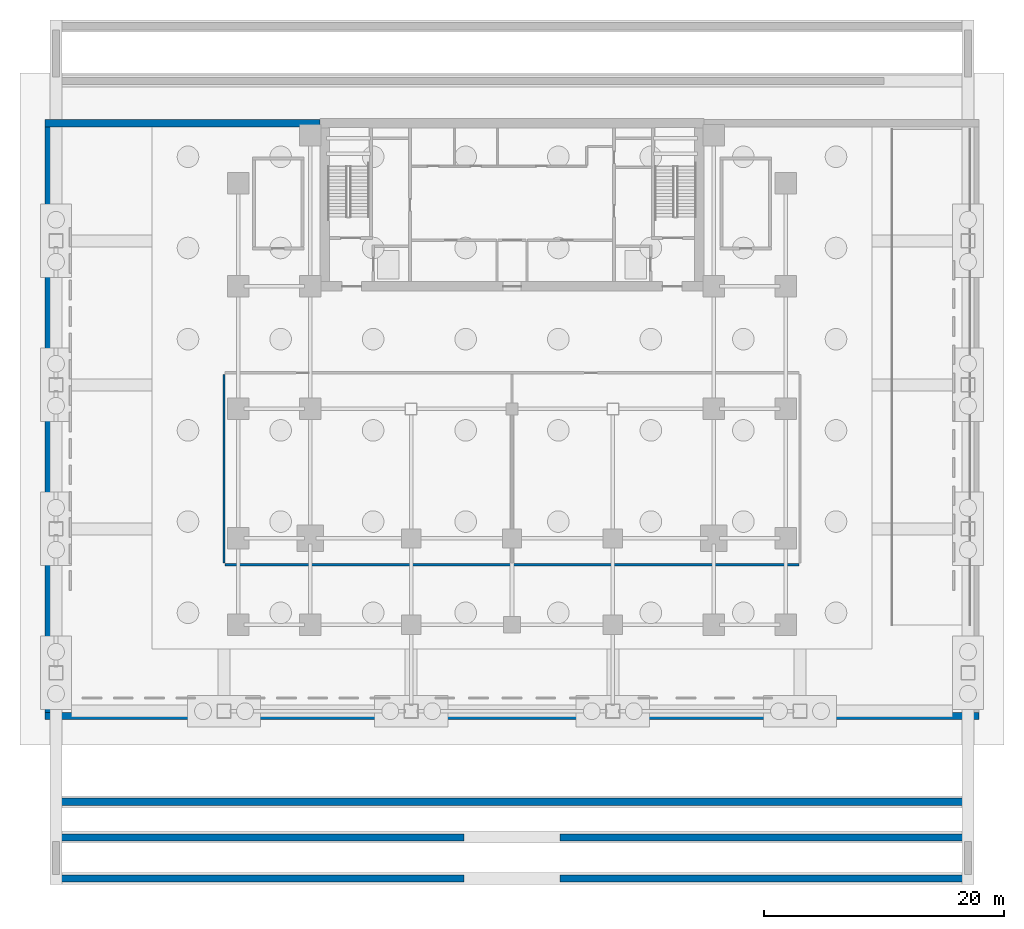
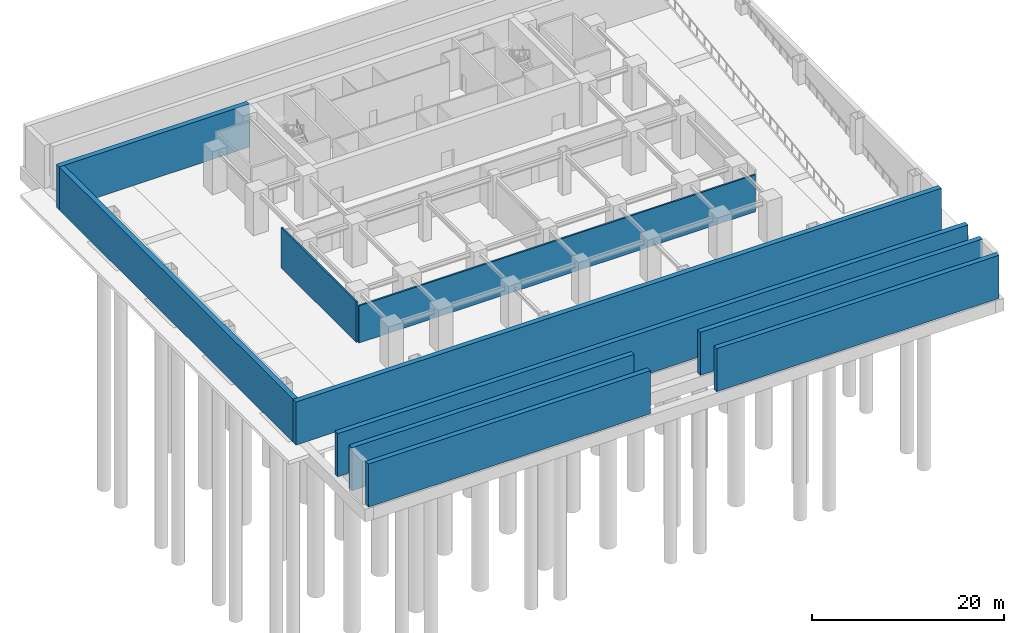
# One storey, part 3 of 9: 10 walls.
"""IFC4 building model written with IfcOpenShell, lengths in metres."""

from ifc_helpers import new_model, si_unit, direction, frame, frame_2d, origin, place, context, subcontext, project, spatial, rectangle, extrude, source, transform, mapped, material, layer, layer_set, type_object, element, save


model = new_model("IFC4")

# Units and contexts
model_context = context("Model", 3, precision=1e-05, world=origin(), true_north=direction((0.0, 1.0)))
body_context = subcontext(model_context, "Body", "Model", "MODEL_VIEW")
ifc_project = project(units=[si_unit("LENGTHUNIT", "METRE"), si_unit("AREAUNIT", "SQUARE_METRE"), si_unit("VOLUMEUNIT", "CUBIC_METRE"), si_unit("PLANEANGLEUNIT", "RADIAN"), si_unit("MASSUNIT", "GRAM", prefix="KILO")], contexts=[model_context])

# Site, building, storey
site_placement = place(None, origin())
site = spatial("IfcSite", under=ifc_project, at=site_placement, CompositionType="ELEMENT")
building_placement = place(site_placement, origin())
building = spatial("IfcBuilding", under=site, at=building_placement, Name="Sumidabori Civic Tower", CompositionType="ELEMENT")
storey_placement = place(building_placement, frame((0.0, 0.0, -11.0)))
storey = spatial("IfcBuildingStorey", under=building, at=storey_placement, Name="B2", CompositionType="ELEMENT", Elevation=-11.0)

# Walls
ifc_material_1 = material(Name="Concrete C50/60", Category="concrete")
ifc_layer_1 = layer(ifc_material_1, 0.60009765625, Name="Concrete C50/60")
ifc_layer_set_1 = layer_set([ifc_layer_1], Name="Concrete C50/60")
wall_type_1 = type_object("IfcWallType", Name="WL-RET-600", PredefinedType="SHEAR", material=ifc_layer_set_1)
shared_shape_1 = source(origin(), body_context, "Body", "SweptSolid", [
    extrude(rectangle(XDim=77.7998046875, YDim=0.60009765625, at=frame_2d((38.89990234375, 0.0))), origin(), (0.0, 0.0, 1.0), 5.5),
])
wall_1_placement = place(storey_placement, frame((-38.89990234375, -25.60009765625, 0.0), z_axis=(0.0, 0.0, 1.0), x_axis=(1.0, 0.0, 0.0)))
element("IfcWall", 1, at=wall_1_placement, inside=storey, type_object=wall_type_1, Name="Basement Retaining Wall B2 S", PredefinedType="SHEAR", context=body_context, shape_type="MappedRepresentation", body=[
    mapped(shared_shape_1, transform((0.0, 0.0, 0.0), x_axis=(1.0, 0.0, 0.0), y_axis=(0.0, 1.0, 0.0), z_axis=(0.0, 0.0, 1.0), scale=1.0)),
])
shared_shape_2 = source(origin(), body_context, "Body", "SweptSolid", [
    extrude(rectangle(XDim=22.89990234375, YDim=0.60009765625, at=frame_2d((11.449951171875, 0.0))), origin(), (0.0, 0.0, 1.0), 5.5),
])
wall_2_placement = place(storey_placement, frame((-38.89990234375, 23.800048828125, 0.0), z_axis=(0.0, 0.0, 1.0), x_axis=(1.0, 0.0, 0.0)))
element("IfcWall", 2, at=wall_2_placement, inside=storey, type_object=wall_type_1, Name="Basement Retaining Wall B2 NW", PredefinedType="SHEAR", context=body_context, shape_type="MappedRepresentation", body=[
    mapped(shared_shape_2, transform((0.0, 0.0, 0.0), x_axis=(1.0, 0.0, 0.0), y_axis=(0.0, 1.0, 0.0), z_axis=(0.0, 0.0, 1.0), scale=1.0)),
])
shared_shape_3 = source(origin(), body_context, "Body", "SweptSolid", [
    extrude(rectangle(XDim=48.800048828125, YDim=0.60009765625, at=frame_2d((24.39990234375, 0.0))), origin(), (0.0, 0.0, 1.0), 5.5),
])
wall_3_placement = place(storey_placement, frame((-38.60009765625, -25.300048828125, 0.0), z_axis=(0.0, 0.0, 1.0), x_axis=(0.0, 1.0, 0.0)))
element("IfcWall", 3, at=wall_3_placement, inside=storey, type_object=wall_type_1, Name="Basement Retaining Wall B2 W", PredefinedType="SHEAR", context=body_context, shape_type="MappedRepresentation", body=[
    mapped(shared_shape_3, transform((0.0, 0.0, 0.0), x_axis=(1.0, 0.0, 0.0), y_axis=(0.0, 1.0, 0.0), z_axis=(0.0, 0.0, 1.0), scale=1.0)),
])
shared_shape_4 = source(origin(), body_context, "Body", "SweptSolid", [
    extrude(rectangle(XDim=34.0, YDim=0.60009765625, at=frame_2d((17.0, 0.0))), origin(), (0.0, 0.0, 1.0), 5.5),
])
for number, where, z_axis, x_axis, name in (
    (4, (-38.0, -39.14990234375, 0.0), (0.0, 0.0, 1.0), (1.0, 0.0, 0.0), "Substructure Perimeter Bearing Wall B2 PLZ-SW"),
    (5, (4.0, -39.14990234375, 0.0), (0.0, 0.0, 1.0), (1.0, 0.0, 0.0), "Substructure Perimeter Bearing Wall B2 PLZ-SE"),
):
    element("IfcWall", number, at=place(storey_placement, frame(where, z_axis=z_axis, x_axis=x_axis)), inside=storey, type_object=wall_type_1, Name=name, PredefinedType="SHEAR", context=body_context, shape_type="MappedRepresentation", body=[
        mapped(shared_shape_4, transform((0.0, 0.0, 0.0), x_axis=(1.0, 0.0, 0.0), y_axis=(0.0, 1.0, 0.0), z_axis=(0.0, 0.0, 1.0), scale=1.0)),
    ])
ifc_layer_2 = layer(ifc_material_1, 0.60009765625, Name="Concrete C50/60")
ifc_layer_set_2 = layer_set([ifc_layer_2], Name="Concrete C50/60")
wall_type_2 = type_object("IfcWallType", Name="WL-SUB-600", PredefinedType="SHEAR", material=ifc_layer_set_2)
for number, where, z_axis, x_axis, name in (
    (6, (-38.0, -35.719970703125, 0.0), (0.0, 0.0, 1.0), (1.0, 0.0, 0.0), "Substructure Perimeter Bearing Wall B2 PLZ-NW"),
    (7, (4.0, -35.719970703125, 0.0), (0.0, 0.0, 1.0), (1.0, 0.0, 0.0), "Substructure Perimeter Bearing Wall B2 PLZ-NE"),
):
    element("IfcWall", number, at=place(storey_placement, frame(where, z_axis=z_axis, x_axis=x_axis)), inside=storey, type_object=wall_type_2, Name=name, PredefinedType="SHEAR", context=body_context, shape_type="MappedRepresentation", body=[
        mapped(shared_shape_4, transform((0.0, 0.0, 0.0), x_axis=(1.0, 0.0, 0.0), y_axis=(0.0, 1.0, 0.0), z_axis=(0.0, 0.0, 1.0), scale=1.0)),
    ])
shared_shape_5 = source(origin(), body_context, "Body", "SweptSolid", [
    extrude(rectangle(XDim=76.0, YDim=0.60009765625, at=frame_2d((38.0, 0.0))), origin(), (0.0, 0.0, 1.0), 5.5),
])
wall_4_placement = place(storey_placement, frame((-38.0, -32.75, 0.0), z_axis=(0.0, 0.0, 1.0), x_axis=(1.0, 0.0, 0.0)))
element("IfcWall", 8, at=wall_4_placement, inside=storey, type_object=wall_type_2, Name="Substructure Perimeter Bearing Wall B2 POD-S", PredefinedType="SHEAR", context=body_context, shape_type="MappedRepresentation", body=[
    mapped(shared_shape_5, transform((0.0, 0.0, 0.0), x_axis=(1.0, 0.0, 0.0), y_axis=(0.0, 1.0, 0.0), z_axis=(0.0, 0.0, 1.0), scale=1.0)),
])
ifc_material_2 = material(Name="Gypsum Plasterboard Fire Partition")
ifc_layer_3 = layer(ifc_material_2, 0.199951171875, Name="Gypsum Plasterboard Fire Partition")
ifc_layer_set_3 = layer_set([ifc_layer_3], Name="Gypsum Plasterboard Fire Partition")
wall_type_3 = type_object("IfcWallType", Name="WL-PART-FIRE", PredefinedType="PARTITIONING", material=ifc_layer_set_3)
shared_shape_6 = source(origin(), body_context, "Body", "SweptSolid", [
    extrude(rectangle(XDim=47.7998046875, YDim=0.199951171875, at=frame_2d((23.89990234375, 0.0))), origin(), (0.0, 0.0, 1.0), 4.735107421875),
])
wall_5_placement = place(storey_placement, frame((-23.89990234375, -13.0, 0.0), z_axis=(0.0, 0.0, 1.0), x_axis=(1.0, 0.0, 0.0)))
element("IfcWall", 9, at=wall_5_placement, inside=storey, type_object=wall_type_3, Name="Interior Partition WL:B2:ISL-S", PredefinedType="PARTITIONING", context=body_context, shape_type="MappedRepresentation", body=[
    mapped(shared_shape_6, transform((0.0, 0.0, 0.0), x_axis=(1.0, 0.0, 0.0), y_axis=(0.0, 1.0, 0.0), z_axis=(0.0, 0.0, 1.0), scale=1.0)),
])
shared_shape_7 = source(origin(), body_context, "Body", "SweptSolid", [
    extrude(rectangle(XDim=15.7001953125, YDim=0.199951171875, at=frame_2d((7.85009765625, 0.0))), origin(), (0.0, 0.0, 1.0), 5.14990234375),
])
wall_6_placement = place(storey_placement, frame((-24.0, -12.85009765625, 0.0), z_axis=(0.0, 0.0, 1.0), x_axis=(0.0, 1.0, 0.0)))
element("IfcWall", 10, at=wall_6_placement, inside=storey, type_object=wall_type_3, Name="Interior Partition WL:B2:ISL-W", PredefinedType="PARTITIONING", context=body_context, shape_type="MappedRepresentation", body=[
    mapped(shared_shape_7, transform((0.0, 0.0, 0.0), x_axis=(1.0, 0.0, 0.0), y_axis=(0.0, 1.0, 0.0), z_axis=(0.0, 0.0, 1.0), scale=1.0)),
])

save(model, "model.ifc")
